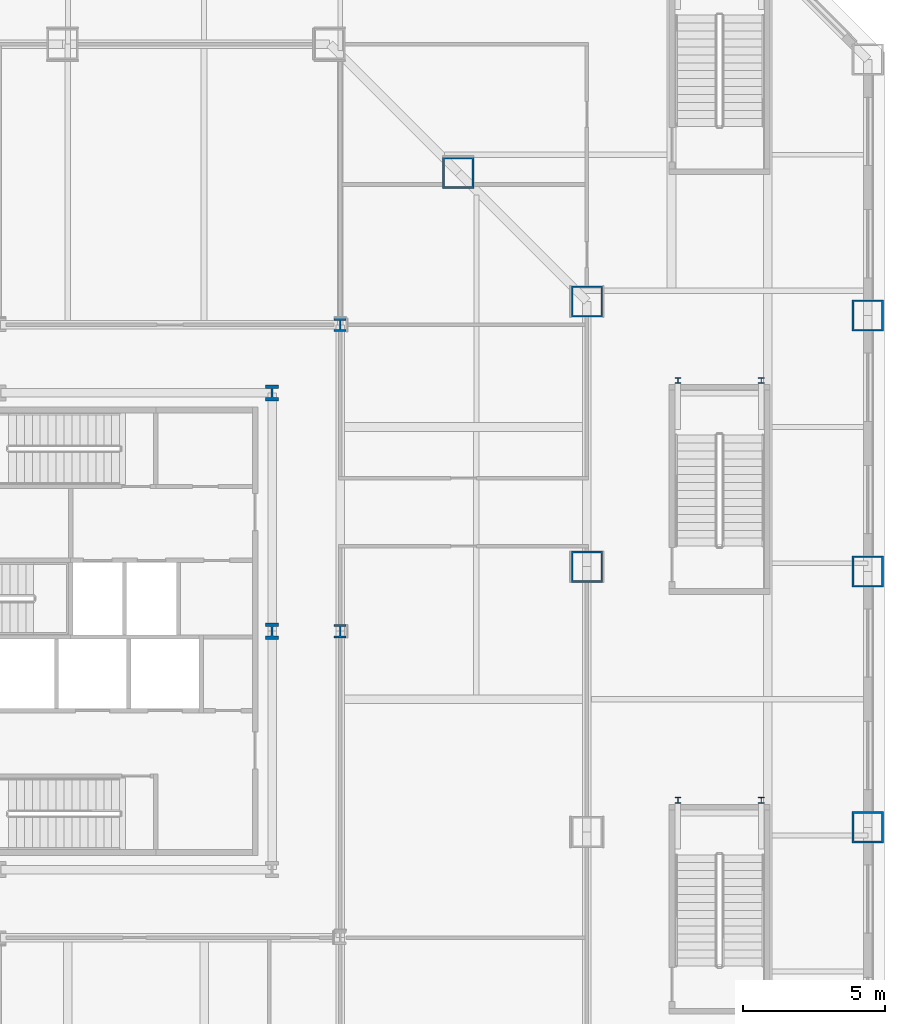
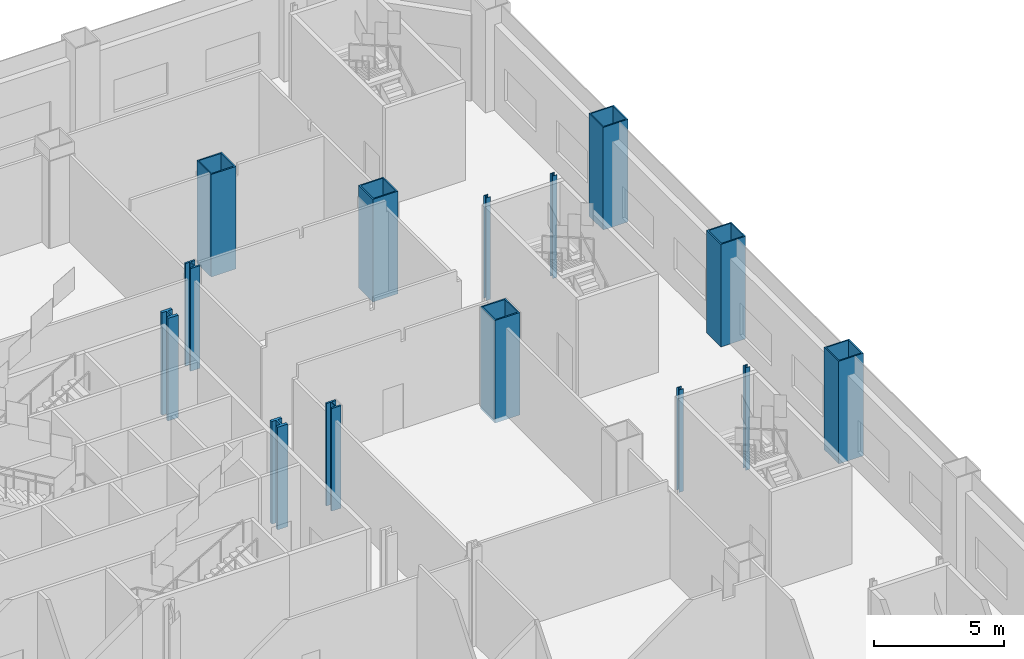
# One storey, part 6 of 26: 14 columns.
"""IFC4 building model written with IfcOpenShell, lengths in metres."""

from ifc_helpers import new_model, si_unit, direction, frame, origin, origin_2d, place, context, subcontext, project, spatial, hollow_rectangle, i_section, extrude, material, material_profile, profile_set, type_object, element, save


model = new_model("IFC4")

# Units and contexts
model_context = context("Model", 3, precision=1e-05, world=origin(), true_north=direction((0.0, 1.0)))
body_context = subcontext(model_context, "Body", "Model", "MODEL_VIEW")
ifc_project = project(units=[si_unit("LENGTHUNIT", "METRE"), si_unit("AREAUNIT", "SQUARE_METRE"), si_unit("VOLUMEUNIT", "CUBIC_METRE"), si_unit("PLANEANGLEUNIT", "RADIAN"), si_unit("MASSUNIT", "GRAM", prefix="KILO")], contexts=[model_context])

# Site, building, storey
site_placement = place(None, origin())
site = spatial("IfcSite", under=ifc_project, at=site_placement, CompositionType="ELEMENT")
building_placement = place(site_placement, origin())
building = spatial("IfcBuilding", under=site, at=building_placement, Name="Cairn Pilgrim Tower", CompositionType="ELEMENT")
storey_placement = place(building_placement, frame((0.0, 0.0, 25.800048828125)))
storey = spatial("IfcBuildingStorey", under=building, at=storey_placement, Name="L04", CompositionType="ELEMENT", Elevation=25.800048828125)

# Columns
ifc_material_1 = material(Name="Structural steel S460M", Category="steel")
ifc_material_profile_1 = material_profile(ifc_material_1, hollow_rectangle(XDim=1.10009765625, YDim=1.10009765625, WallThickness=0.06005859375, at=origin_2d()), Name="BOX 1100x1100x60")
ifc_profile_set_1 = profile_set([ifc_material_profile_1], Name="Structural steel S460M")
column_type_1 = type_object("IfcColumnType", Name="BOX 1100x1100x60", PredefinedType="COLUMN", material=ifc_profile_set_1)
for number, where, z_axis, x_axis, name in (
    (1, (27.89990234375, 4.67578125, -0.199951171875), (0.0, 0.0, 1.0), (1.0, 0.0, 0.0), "PC1-E3"),
    (2, (27.89990234375, 14.027099609375, -0.199951171875), (0.0, 0.0, 1.0), (1.0, 0.0, 0.0), "PC1-NE1"),
    (3, (23.363525390625, 18.563720703125, -0.199951171875), (0.0, 0.0, 1.0), (1.0, 0.0, 0.0), "PC1-NE2"),
):
    element("IfcColumn", number, at=place(storey_placement, frame(where, z_axis=z_axis, x_axis=x_axis)), inside=storey, type_object=column_type_1, Name=name, PredefinedType="COLUMN", context=body_context, shape_type="SweptSolid", body=[
        extrude(hollow_rectangle(XDim=1.10009765625, YDim=1.10009765625, WallThickness=0.06005859375, at=origin_2d()), origin(), (0.0, 0.0, 1.0), 4.7998046875),
    ])
ifc_material_profile_2 = material_profile(ifc_material_1, i_section(OverallWidth=0.4541015625, OverallDepth=0.569091796875, WebThickness=0.077880859375, FlangeThickness=0.125, FilletRadius=0.014892578125, at=origin_2d()), Name="HD 400x1086")
ifc_profile_set_2 = profile_set([ifc_material_profile_2], Name="Structural steel S460M")
column_type_2 = type_object("IfcColumnType", Name="HD 400x1086", PredefinedType="COLUMN", material=ifc_profile_set_2)
for number, where, z_axis, x_axis, name in (
    (4, (16.800048828125, 2.39990234375, -0.199951171875), (0.0, 0.0, 1.0), (1.0, 0.0, 0.0), "KC-5"),
    (5, (16.800048828125, 10.800048828125, -0.199951171875), (0.0, 0.0, 1.0), (1.0, 0.0, 0.0), "KC-8"),
):
    element("IfcColumn", number, at=place(storey_placement, frame(where, z_axis=z_axis, x_axis=x_axis)), inside=storey, type_object=column_type_2, Name=name, PredefinedType="COLUMN", context=body_context, shape_type="SweptSolid", body=[
        extrude(i_section(OverallWidth=0.4541015625, OverallDepth=0.569091796875, WebThickness=0.077880859375, FlangeThickness=0.125, FilletRadius=0.014892578125, at=origin_2d()), origin(), (0.0, 0.0, 1.0), 4.7998046875),
    ])
ifc_material_profile_3 = material_profile(ifc_material_1, i_section(OverallWidth=0.424072265625, OverallDepth=0.47412109375, WebThickness=0.047607421875, FlangeThickness=0.0771484375, FilletRadius=0.014892578125, at=origin_2d()), Name="HD 400x634")
ifc_profile_set_3 = profile_set([ifc_material_profile_3], Name="Structural steel S460M")
column_type_3 = type_object("IfcColumnType", Name="HD 400x634", PredefinedType="COLUMN", material=ifc_profile_set_3)
for number, where, z_axis, x_axis, name in (
    (6, (19.199951171875, 2.39990234375, -0.199951171875), (0.0, 0.0, 1.0), (1.0, 0.0, 0.0), "IC-5"),
    (7, (19.199951171875, 13.199951171875, -0.199951171875), (0.0, 0.0, 1.0), (1.0, 0.0, 0.0), "IC-8"),
):
    element("IfcColumn", number, at=place(storey_placement, frame(where, z_axis=z_axis, x_axis=x_axis)), inside=storey, type_object=column_type_3, Name=name, PredefinedType="COLUMN", context=body_context, shape_type="SweptSolid", body=[
        extrude(i_section(OverallWidth=0.424072265625, OverallDepth=0.47412109375, WebThickness=0.047607421875, FlangeThickness=0.0771484375, FilletRadius=0.014892578125, at=origin_2d()), origin(), (0.0, 0.0, 1.0), 4.7998046875),
    ])
ifc_material_profile_4 = material_profile(ifc_material_1, hollow_rectangle(XDim=1.10009765625, YDim=1.10009765625, WallThickness=0.06005859375, at=origin_2d()), Name="BOX 1100x1100x60")
ifc_profile_set_4 = profile_set([ifc_material_profile_4], Name="Structural steel S460M")
column_type_4 = type_object("IfcColumnType", Name="PILOTIS CFT 1100", PredefinedType="COLUMN", material=ifc_profile_set_4)
for number, where, z_axis, x_axis, name in (
    (8, (37.800048828125, -4.51025390625, 0.0), (0.0, 0.0, 1.0), (1.0, 0.0, 0.0), "PILOTIS PL-E3"),
    (9, (37.800048828125, 4.51025390625, 0.0), (0.0, 0.0, 1.0), (1.0, 0.0, 0.0), "PILOTIS PL-E4"),
    (10, (37.800048828125, 13.531005859375, 0.0), (0.0, 0.0, 1.0), (1.0, 0.0, 0.0), "PILOTIS PL-E5"),
):
    element("IfcColumn", number, at=place(storey_placement, frame(where, z_axis=z_axis, x_axis=x_axis)), inside=storey, type_object=column_type_4, Name=name, PredefinedType="COLUMN", context=body_context, shape_type="SweptSolid", body=[
        extrude(hollow_rectangle(XDim=1.10009765625, YDim=1.10009765625, WallThickness=0.06005859375, at=origin_2d()), origin(), (0.0, 0.0, 1.0), 4.800048828125),
    ])
ifc_material_2 = material(Name="Structural steel S355J2", Category="steel")
ifc_material_profile_5 = material_profile(ifc_material_2, i_section(OverallWidth=0.199951171875, OverallDepth=0.199951171875, WebThickness=0.009033203125, FlangeThickness=0.014892578125, FilletRadius=0.01806640625, at=origin_2d()), Name="HE 200 B")
ifc_profile_set_5 = profile_set([ifc_material_profile_5], Name="Structural steel S355J2")
column_type_5 = type_object("IfcColumnType", Name="STAIR POST HE 200 B", PredefinedType="COLUMN", material=ifc_profile_set_5)
for number, where, z_axis, x_axis, name in (
    (11, (31.10498046875, -3.56005859375, 0.0), (0.0, 0.0, 1.0), (1.0, 0.0, 0.0), "STAIR POST LP-ES2-NA"),
    (12, (34.044921875, -3.56005859375, 0.0), (0.0, 0.0, 1.0), (1.0, 0.0, 0.0), "STAIR POST LP-ES2-NB"),
    (13, (31.10498046875, 11.239990234375, 0.0), (0.0, 0.0, 1.0), (1.0, 0.0, 0.0), "STAIR POST LP-ES3-NA"),
    (14, (34.044921875, 11.239990234375, 0.0), (0.0, 0.0, 1.0), (1.0, 0.0, 0.0), "STAIR POST LP-ES3-NB"),
):
    element("IfcColumn", number, at=place(storey_placement, frame(where, z_axis=z_axis, x_axis=x_axis)), inside=storey, type_object=column_type_5, Name=name, PredefinedType="COLUMN", context=body_context, shape_type="SweptSolid", body=[
        extrude(i_section(OverallWidth=0.199951171875, OverallDepth=0.199951171875, WebThickness=0.009033203125, FlangeThickness=0.014892578125, FilletRadius=0.01806640625, at=origin_2d()), origin(), (0.0, 0.0, 1.0), 4.800048828125),
    ])

save(model, "model.ifc")
